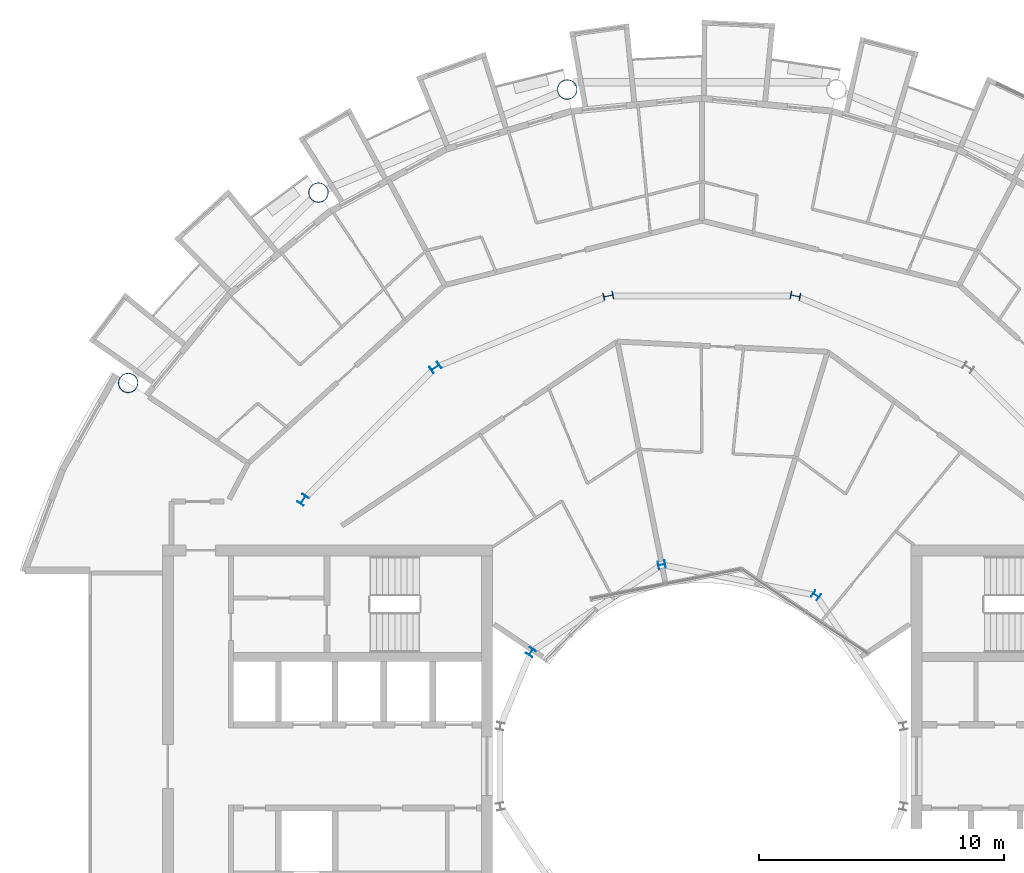
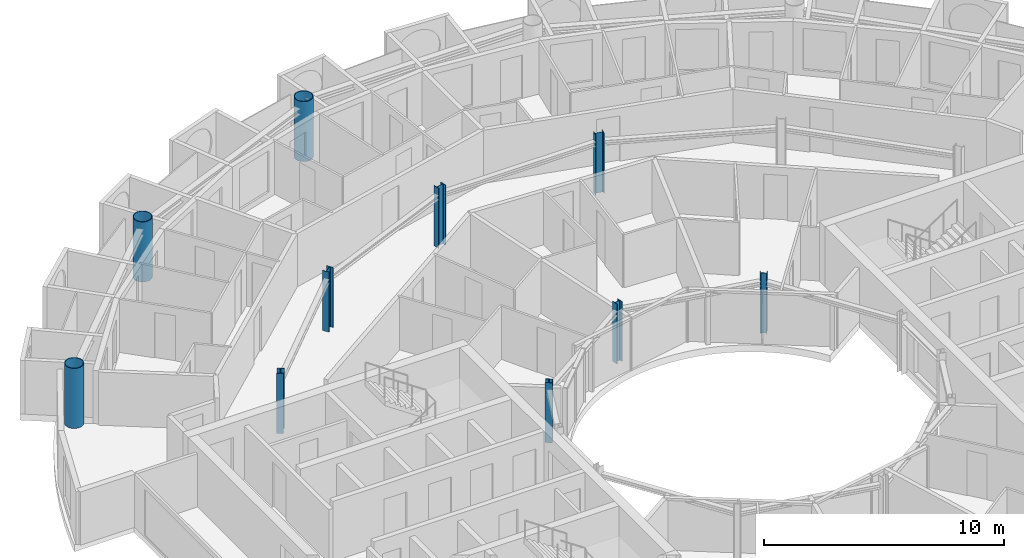
# One storey, part 4 of 29: 10 columns.
"""IFC4 building model written with IfcOpenShell, lengths in metres."""

from ifc_helpers import new_model, si_unit, direction, frame, origin, origin_2d, place, context, subcontext, project, spatial, hollow_circle, i_section, extrude, material, material_profile, profile_set, type_object, element, save


model = new_model("IFC4")

# Units and contexts
model_context = context("Model", 3, precision=1e-05, world=origin(), true_north=direction((0.0, 1.0)))
body_context = subcontext(model_context, "Body", "Model", "MODEL_VIEW")
ifc_project = project(units=[si_unit("LENGTHUNIT", "METRE"), si_unit("AREAUNIT", "SQUARE_METRE"), si_unit("VOLUMEUNIT", "CUBIC_METRE"), si_unit("PLANEANGLEUNIT", "RADIAN"), si_unit("MASSUNIT", "GRAM", prefix="KILO")], contexts=[model_context])

# Site, building, storey
site_placement = place(None, origin())
site = spatial("IfcSite", under=ifc_project, at=site_placement, CompositionType="ELEMENT")
building_placement = place(site_placement, origin())
building = spatial("IfcBuilding", under=site, at=building_placement, Name="Maasbend Ring Residences", CompositionType="ELEMENT")
storey_placement = place(building_placement, frame((0.0, 0.0, 190.199951171875)))
storey = spatial("IfcBuildingStorey", under=building, at=storey_placement, Name="L54", CompositionType="ELEMENT", Elevation=190.199951171875)

# Columns
ifc_material_1 = material(Name="Composite concrete-filled steel tube S460NH / C80/95", Category="concrete")
ifc_material_profile_1 = material_profile(ifc_material_1, hollow_circle(Radius=0.406494140625, WallThickness=0.030029296875, at=origin_2d()), Name="Composite tube column CHS 813x30")
ifc_profile_set_1 = profile_set([ifc_material_profile_1], Name="Composite concrete-filled steel tube S460NH / C80/95")
column_type_1 = type_object("IfcColumnType", Name="Composite tube column CHS 813x30", PredefinedType="COLUMN", material=ifc_profile_set_1)
for number, where, z_axis, x_axis, name in (
    (1, (-5.50146484375, 27.658203125, 0.0), (0.0, 0.0, 1.0), (1.0, 0.0, 0.0), "Outer column R5"),
    (2, (-15.6669921875, 23.447509765625, 0.0), (0.0, 0.0, 1.0), (1.0, 0.0, 0.0), "Outer column R6"),
    (3, (-23.447509765625, 15.6669921875, 0.0), (0.0, 0.0, 1.0), (1.0, 0.0, 0.0), "Outer column R7"),
):
    element("IfcColumn", number, at=place(storey_placement, frame(where, z_axis=z_axis, x_axis=x_axis)), inside=storey, type_object=column_type_1, Name=name, PredefinedType="COLUMN", context=body_context, shape_type="SweptSolid", body=[
        extrude(hollow_circle(Radius=0.406494140625, WallThickness=0.030029296875, at=origin_2d()), origin(), (0.0, 0.0, 1.0), 3.050048828125),
    ])
ifc_material_2 = material(Name="Steel S355J2", Category="steel")
ifc_material_profile_2 = material_profile(ifc_material_2, i_section(OverallWidth=0.300048828125, OverallDepth=0.2900390625, WebThickness=0.008544921875, FlangeThickness=0.013916015625, FilletRadius=0.027099609375, at=origin_2d()), Name="HEA 300")
ifc_profile_set_2 = profile_set([ifc_material_profile_2], Name="Steel S355J2")
column_type_2 = type_object("IfcColumnType", Name="Steel column HEA 300", PredefinedType="COLUMN", material=ifc_profile_set_2)
for number, where, z_axis, x_axis, name in (
    (4, (4.666748046875, 6.984375, 0.0), (0.0, 0.0, 1.0), (0.55557023302, 0.831469612303, 0.0), "Well ring column R3"),
    (5, (-1.638916015625, 8.238525390625, 0.0), (0.0, 0.0, 1.0), (-0.195090322016, 0.980785280403, 0.0), "Well ring column R5"),
    (6, (-6.984375, 4.666748046875, 0.0), (0.0, 0.0, 1.0), (-0.831469612303, 0.55557023302, 0.0), "Well ring column R7"),
):
    element("IfcColumn", number, at=place(storey_placement, frame(where, z_axis=z_axis, x_axis=x_axis)), inside=storey, type_object=column_type_2, Name=name, PredefinedType="COLUMN", context=body_context, shape_type="SweptSolid", body=[
        extrude(i_section(OverallWidth=0.300048828125, OverallDepth=0.2900390625, WebThickness=0.008544921875, FlangeThickness=0.013916015625, FilletRadius=0.027099609375, at=origin_2d()), origin(), (0.0, 0.0, 1.0), 3.050048828125),
    ])
ifc_material_3 = material(Name="Steel S355J2", Category="steel")
ifc_material_profile_3 = material_profile(ifc_material_3, i_section(OverallWidth=0.300048828125, OverallDepth=0.39990234375, WebThickness=0.013427734375, FlangeThickness=0.02392578125, FilletRadius=0.027099609375, at=origin_2d()), Name="HEB 400")
ifc_profile_set_3 = profile_set([ifc_material_profile_3], Name="Steel S355J2")
column_type_3 = type_object("IfcColumnType", Name="Steel column HEB 400", PredefinedType="COLUMN", material=ifc_profile_set_3)
for number, where, z_axis, x_axis, name in (
    (7, (3.82373046875, 19.223388671875, 0.0), (0.0, 0.0, 1.0), (0.195090322016, 0.980785280403, 0.0), "Corridor ring column R4"),
    (8, (-3.82373046875, 19.223388671875, 0.0), (0.0, 0.0, 1.0), (-0.195090322016, 0.980785280403, 0.0), "Corridor ring column R5"),
    (9, (-10.88916015625, 16.296875, 0.0), (0.0, 0.0, 1.0), (-0.55557023302, 0.831469612303, 0.0), "Corridor ring column R6"),
    (10, (-16.296875, 10.88916015625, 0.0), (0.0, 0.0, 1.0), (-0.831469612303, 0.55557023302, 0.0), "Corridor ring column R7"),
):
    element("IfcColumn", number, at=place(storey_placement, frame(where, z_axis=z_axis, x_axis=x_axis)), inside=storey, type_object=column_type_3, Name=name, PredefinedType="COLUMN", context=body_context, shape_type="SweptSolid", body=[
        extrude(i_section(OverallWidth=0.300048828125, OverallDepth=0.39990234375, WebThickness=0.013427734375, FlangeThickness=0.02392578125, FilletRadius=0.027099609375, at=origin_2d()), origin(), (0.0, 0.0, 1.0), 3.050048828125),
    ])

save(model, "model.ifc")
